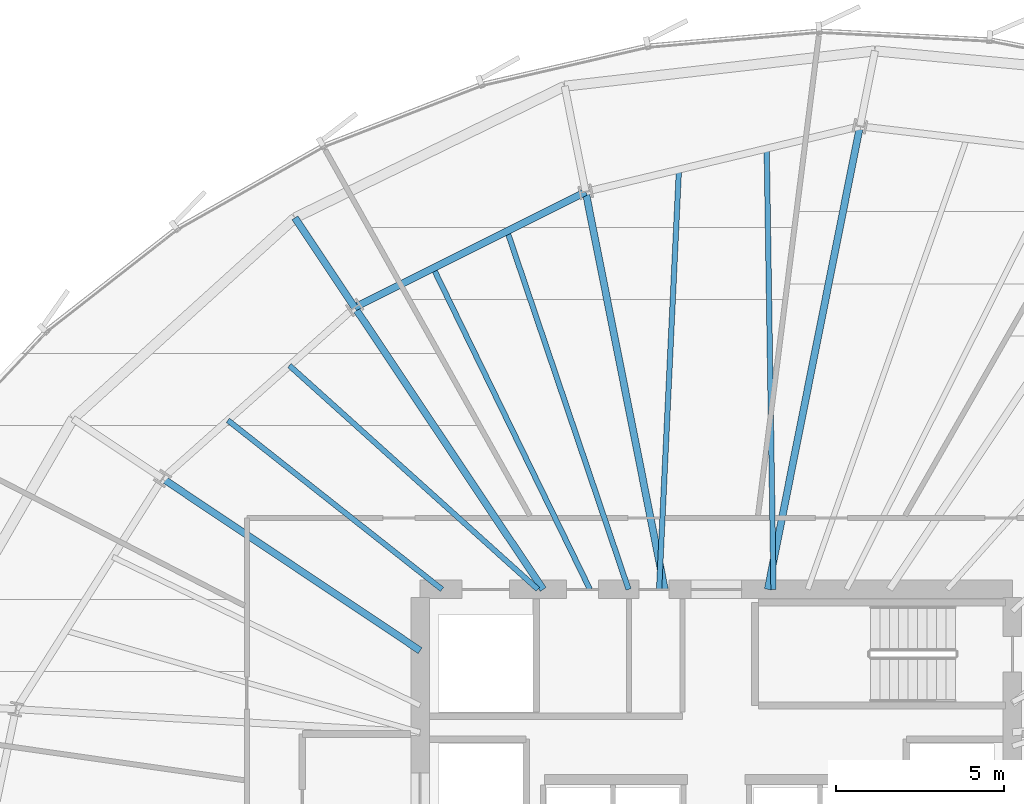
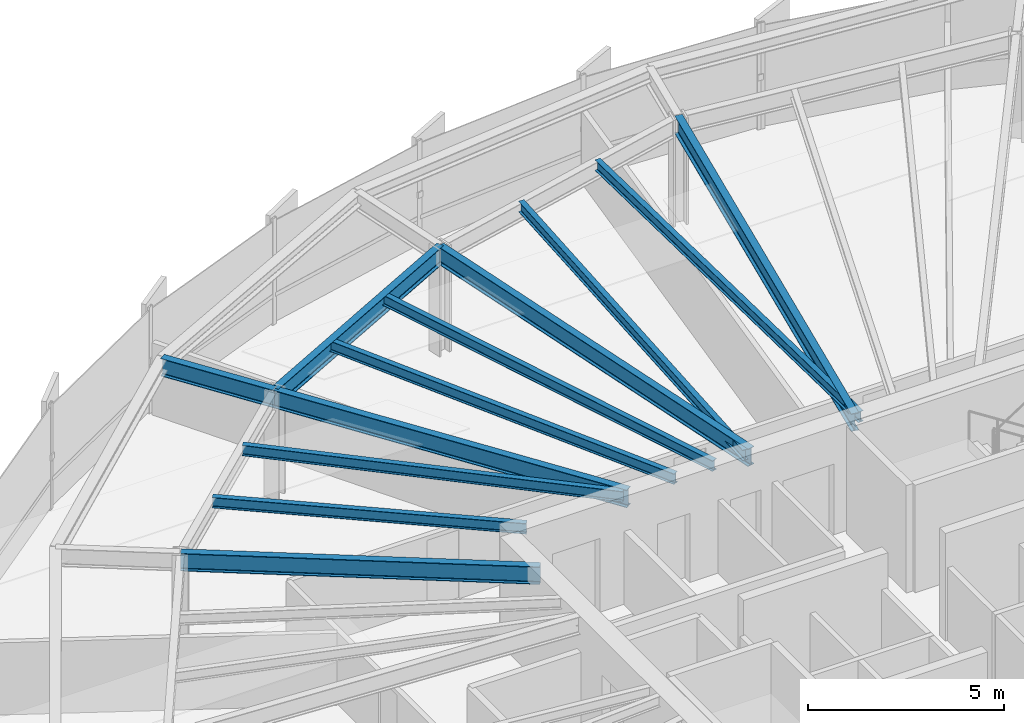
# One storey, part 20 of 35: 12 beams.
"""IFC4 building model written with IfcOpenShell, lengths in metres."""

from ifc_helpers import new_model, si_unit, direction, frame, origin, origin_2d, place, context, subcontext, project, spatial, i_section, extrude, source, transform, mapped, material, material_profile, profile_set, type_object, element, save


model = new_model("IFC4")

# Units and contexts
model_context = context("Model", 3, precision=1e-05, world=origin(), true_north=direction((0.0, 1.0)))
body_context = subcontext(model_context, "Body", "Model", "MODEL_VIEW")
ifc_project = project(units=[si_unit("LENGTHUNIT", "METRE"), si_unit("AREAUNIT", "SQUARE_METRE"), si_unit("VOLUMEUNIT", "CUBIC_METRE"), si_unit("PLANEANGLEUNIT", "RADIAN"), si_unit("MASSUNIT", "GRAM", prefix="KILO"), si_unit("THERMODYNAMICTEMPERATUREUNIT", "KELVIN")], contexts=[model_context])

# Site, building, storey
site_placement = place(None, origin())
site = spatial("IfcSite", under=ifc_project, at=site_placement, CompositionType="ELEMENT")
building_placement = place(site_placement, origin())
building = spatial("IfcBuilding", under=site, at=building_placement, Name="Kethvar Cultural Tower", CompositionType="ELEMENT")
storey_placement = place(building_placement, frame((0.0, 0.0, 103.60009765625)))
storey = spatial("IfcBuildingStorey", under=building, at=storey_placement, Name="L25", CompositionType="ELEMENT", Elevation=103.60009765625)

# Beams
ifc_material = material(Name="Steel S355J2", Category="steel")
ifc_material_profile_1 = material_profile(ifc_material, i_section(OverallWidth=0.2099609375, OverallDepth=0.550048828125, WebThickness=0.010986328125, FlangeThickness=0.01708984375, FilletRadius=0.02392578125, at=origin_2d()), Name="Steel S355J2 — IPE550")
ifc_profile_set_1 = profile_set([ifc_material_profile_1], Name="Steel S355J2 — IPE550")
beam_type_1 = type_object("IfcBeamType", Name="BM-IPE550", PredefinedType="BEAM", material=ifc_profile_set_1)
shared_shape_1 = source(origin(), body_context, "Body", "SweptSolid", [
    extrude(i_section(OverallWidth=0.2099609375, OverallDepth=0.550048828125, WebThickness=0.010986328125, FlangeThickness=0.01708984375, FilletRadius=0.02392578125, at=origin_2d()), origin(), (0.0, 0.0, 1.0), 3.2001953125),
])
beam_1_placement = place(storey_placement, frame((36.0576171875, 43.877197265625, 3.072998046875), z_axis=(-0.555544970406, 0.831486491686, 0.0), x_axis=(-0.831486491686, -0.555544970406, 0.0)))
element("IfcBeam", 1, at=beam_1_placement, inside=storey, type_object=beam_type_1, Name="L25 Perimeter Cantilever Beam RC-06", PredefinedType="BEAM", context=body_context, shape_type="MappedRepresentation", body=[
    mapped(shared_shape_1, transform((0.0, 0.0, 0.0), scale=1.0)),
])
shared_shape_2 = source(origin(), body_context, "Body", "SweptSolid", [
    extrude(i_section(OverallWidth=0.2099609375, OverallDepth=0.550048828125, WebThickness=0.010986328125, FlangeThickness=0.01708984375, FilletRadius=0.02392578125, at=origin_2d()), origin(), (0.0, 0.0, 1.0), 14.02880859375),
])
beam_2_placement = place(storey_placement, frame((48.33154296875, 35.5, 3.072998046875), z_axis=(0.195101986683, 0.980782960085, 0.0), x_axis=(-0.980782960085, 0.195101986683, 0.0)))
element("IfcBeam", 2, at=beam_2_placement, inside=storey, type_object=beam_type_1, Name="L25 Primary Radial Beam RB-04", PredefinedType="BEAM", context=body_context, shape_type="MappedRepresentation", body=[
    mapped(shared_shape_2, transform((0.0, 0.0, 0.0), scale=1.0)),
])
shared_shape_3 = source(origin(), body_context, "Body", "SweptSolid", [
    extrude(i_section(OverallWidth=0.2099609375, OverallDepth=0.550048828125, WebThickness=0.010986328125, FlangeThickness=0.01708984375, FilletRadius=0.02392578125, at=origin_2d()), origin(), (0.0, 0.0, 1.0), 12.042724609375),
])
beam_3_placement = place(storey_placement, frame((45.268310546875, 35.5, 3.072998046875), z_axis=(-0.195086784047, 0.980785984142, 0.0), x_axis=(-0.980785984142, -0.195086784047, 0.0)))
element("IfcBeam", 3, at=beam_3_placement, inside=storey, type_object=beam_type_1, Name="L25 Primary Radial Beam RB-05", PredefinedType="BEAM", context=body_context, shape_type="MappedRepresentation", body=[
    mapped(shared_shape_3, transform((0.0, 0.0, 0.0), scale=1.0)),
])
shared_shape_4 = source(origin(), body_context, "Body", "SweptSolid", [
    extrude(i_section(OverallWidth=0.2099609375, OverallDepth=0.550048828125, WebThickness=0.010986328125, FlangeThickness=0.01708984375, FilletRadius=0.02392578125, at=origin_2d()), origin(), (0.0, 0.0, 1.0), 10.0751953125),
])
beam_4_placement = place(storey_placement, frame((41.655029296875, 35.5, 3.072998046875), z_axis=(-0.555566654614, 0.831472003305, 0.0), x_axis=(-0.831472003305, -0.555566654614, 0.0)))
element("IfcBeam", 4, at=beam_4_placement, inside=storey, type_object=beam_type_1, Name="L25 Primary Radial Beam RB-06", PredefinedType="BEAM", context=body_context, shape_type="MappedRepresentation", body=[
    mapped(shared_shape_4, transform((0.0, 0.0, 0.0), scale=1.0)),
])
shared_shape_5 = source(origin(), body_context, "Body", "SweptSolid", [
    extrude(i_section(OverallWidth=0.2099609375, OverallDepth=0.550048828125, WebThickness=0.010986328125, FlangeThickness=0.01708984375, FilletRadius=0.02392578125, at=origin_2d()), origin(), (0.0, 0.0, 1.0), 9.205322265625),
])
beam_5_placement = place(storey_placement, frame((38.0, 33.679931640625, 3.072998046875), z_axis=(-0.831470451236, 0.555568977465, 0.0), x_axis=(-0.555568977465, -0.831470451236, 0.0)))
element("IfcBeam", 5, at=beam_5_placement, inside=storey, type_object=beam_type_1, Name="L25 Primary Radial Beam RB-07", PredefinedType="BEAM", context=body_context, shape_type="MappedRepresentation", body=[
    mapped(shared_shape_5, transform((0.0, 0.0, 0.0), scale=1.0)),
])
ifc_material_profile_2 = material_profile(ifc_material, i_section(OverallWidth=0.159912109375, OverallDepth=0.330078125, WebThickness=0.007568359375, FlangeThickness=0.011474609375, FilletRadius=0.01806640625, at=origin_2d()), Name="Steel S355J2 — IPE330")
ifc_profile_set_2 = profile_set([ifc_material_profile_2], Name="Steel S355J2 — IPE330")
beam_type_2 = type_object("IfcBeamType", Name="BM-J330", PredefinedType="JOIST", material=ifc_profile_set_2)
shared_shape_6 = source(origin(), body_context, "Body", "SweptSolid", [
    extrude(i_section(OverallWidth=0.159912109375, OverallDepth=0.330078125, WebThickness=0.007568359375, FlangeThickness=0.011474609375, FilletRadius=0.01806640625, at=origin_2d()), origin(), (0.0, 0.0, 1.0), 13.098388671875),
])
beam_6_placement = place(storey_placement, frame((48.5, 35.5, 3.182861328125), z_axis=(-0.015451599057, 0.999880616917, 0.0), x_axis=(-0.999880616917, -0.015451599057, 0.0)))
element("IfcBeam", 6, at=beam_6_placement, inside=storey, type_object=beam_type_2, Name="L25 Composite Floor Joist J-04A", PredefinedType="JOIST", context=body_context, shape_type="MappedRepresentation", body=[
    mapped(shared_shape_6, transform((0.0, 0.0, 0.0), scale=1.0)),
])
shared_shape_7 = source(origin(), body_context, "Body", "SweptSolid", [
    extrude(i_section(OverallWidth=0.159912109375, OverallDepth=0.330078125, WebThickness=0.007568359375, FlangeThickness=0.011474609375, FilletRadius=0.01806640625, at=origin_2d()), origin(), (0.0, 0.0, 1.0), 12.487548828125),
])
beam_7_placement = place(storey_placement, frame((45.10009765625, 35.5, 3.182861328125), z_axis=(0.047214958818, 0.998884751943, 0.0), x_axis=(-0.998884751943, 0.047214958818, 0.0)))
element("IfcBeam", 7, at=beam_7_placement, inside=storey, type_object=beam_type_2, Name="L25 Composite Floor Joist J-04B", PredefinedType="JOIST", context=body_context, shape_type="MappedRepresentation", body=[
    mapped(shared_shape_7, transform((0.0, 0.0, 0.0), scale=1.0)),
])
shared_shape_8 = source(origin(), body_context, "Body", "SweptSolid", [
    extrude(i_section(OverallWidth=0.2099609375, OverallDepth=0.550048828125, WebThickness=0.010986328125, FlangeThickness=0.01708984375, FilletRadius=0.02392578125, at=origin_2d()), origin(), (0.0, 0.0, 1.0), 7.672607421875),
])
beam_8_placement = place(storey_placement, frame((42.9189453125, 47.311279296875, 3.072998046875), z_axis=(-0.894248932057, -0.447569935892, 0.0), x_axis=(0.447569935892, -0.894248932057, 0.0)))
element("IfcBeam", 8, at=beam_8_placement, inside=storey, type_object=beam_type_1, Name="L25 Column Ring Tie Beam CR-05", PredefinedType="BEAM", context=body_context, shape_type="MappedRepresentation", body=[
    mapped(shared_shape_8, transform((0.0, 0.0, 0.0), scale=1.0)),
])
shared_shape_9 = source(origin(), body_context, "Body", "SweptSolid", [
    extrude(i_section(OverallWidth=0.159912109375, OverallDepth=0.330078125, WebThickness=0.007568359375, FlangeThickness=0.011474609375, FilletRadius=0.01806640625, at=origin_2d()), origin(), (0.0, 0.0, 1.0), 11.23779296875),
])
beam_9_placement = place(storey_placement, frame((44.191650390625, 35.5, 3.182861328125), z_axis=(-0.32083186626, 0.94713616423, 0.0), x_axis=(-0.94713616423, -0.32083186626, 0.0)))
element("IfcBeam", 9, at=beam_9_placement, inside=storey, type_object=beam_type_2, Name="L25 Composite Floor Joist J-05A", PredefinedType="JOIST", context=body_context, shape_type="MappedRepresentation", body=[
    mapped(shared_shape_9, transform((0.0, 0.0, 0.0), scale=1.0)),
])
shared_shape_10 = source(origin(), body_context, "Body", "SweptSolid", [
    extrude(i_section(OverallWidth=0.159912109375, OverallDepth=0.330078125, WebThickness=0.007568359375, FlangeThickness=0.011474609375, FilletRadius=0.01806640625, at=origin_2d()), origin(), (0.0, 0.0, 1.0), 10.619384765625),
])
beam_10_placement = place(storey_placement, frame((43.044921875, 35.5, 3.182861328125), z_axis=(-0.438308125028, 0.898824781331, 0.0), x_axis=(-0.898824781331, -0.438308125028, 0.0)))
element("IfcBeam", 10, at=beam_10_placement, inside=storey, type_object=beam_type_2, Name="L25 Composite Floor Joist J-05B", PredefinedType="JOIST", context=body_context, shape_type="MappedRepresentation", body=[
    mapped(shared_shape_10, transform((0.0, 0.0, 0.0), scale=1.0)),
])
shared_shape_11 = source(origin(), body_context, "Body", "SweptSolid", [
    extrude(i_section(OverallWidth=0.159912109375, OverallDepth=0.330078125, WebThickness=0.007568359375, FlangeThickness=0.011474609375, FilletRadius=0.01806640625, at=origin_2d()), origin(), (0.0, 0.0, 1.0), 9.93701171875),
])
beam_11_placement = place(storey_placement, frame((41.5, 35.5, 3.182861328125), z_axis=(-0.743138974967, 0.669137103952, 0.0), x_axis=(-0.669137103952, -0.743138974967, 0.0)))
element("IfcBeam", 11, at=beam_11_placement, inside=storey, type_object=beam_type_2, Name="L25 Composite Floor Joist J-06A", PredefinedType="JOIST", context=body_context, shape_type="MappedRepresentation", body=[
    mapped(shared_shape_11, transform((0.0, 0.0, 0.0), scale=1.0)),
])
shared_shape_12 = source(origin(), body_context, "Body", "SweptSolid", [
    extrude(i_section(OverallWidth=0.159912109375, OverallDepth=0.330078125, WebThickness=0.007568359375, FlangeThickness=0.011474609375, FilletRadius=0.01806640625, at=origin_2d()), origin(), (0.0, 0.0, 1.0), 8.105712890625),
])
beam_12_placement = place(storey_placement, frame((38.64990234375, 35.5, 3.182861328125), z_axis=(-0.784895872164, 0.619627686486, 0.0), x_axis=(-0.619627686486, -0.784895872164, 0.0)))
element("IfcBeam", 12, at=beam_12_placement, inside=storey, type_object=beam_type_2, Name="L25 Composite Floor Joist J-06B", PredefinedType="JOIST", context=body_context, shape_type="MappedRepresentation", body=[
    mapped(shared_shape_12, transform((0.0, 0.0, 0.0), scale=1.0)),
])

save(model, "model.ifc")
